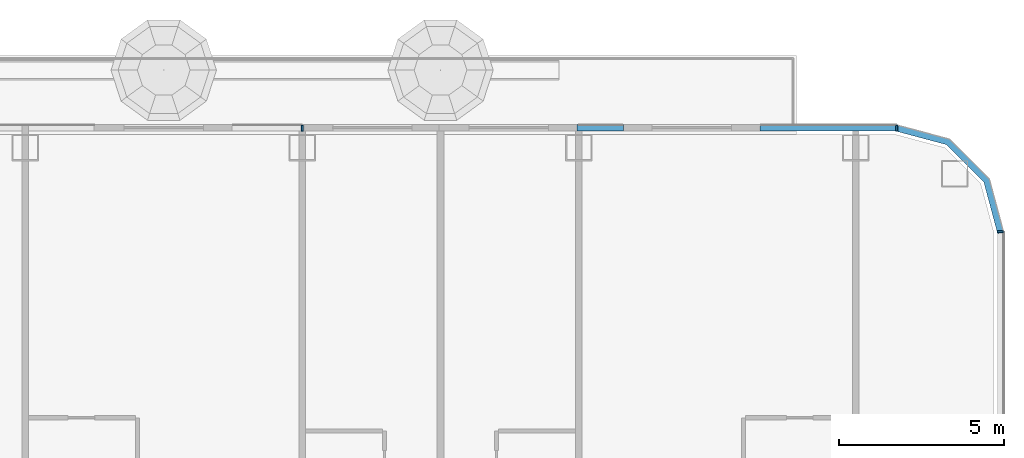
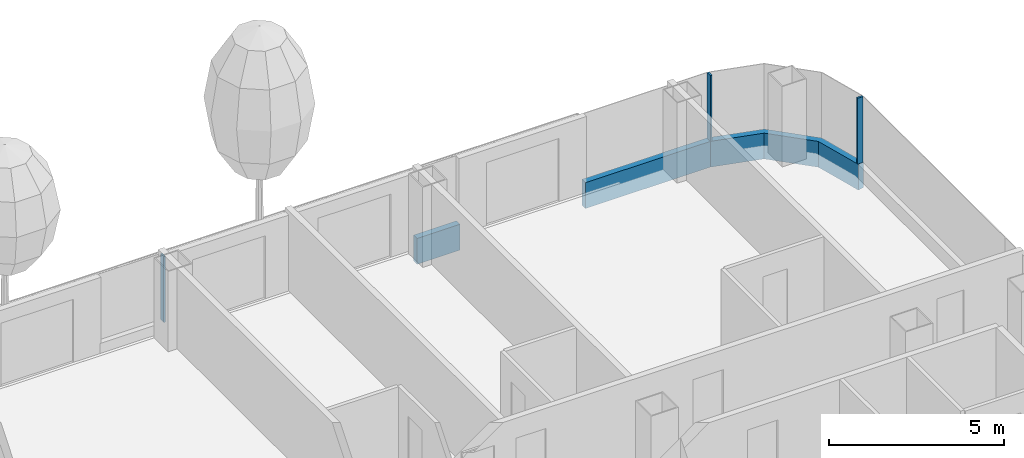
# One storey, part 9 of 33: 6 members, 3 elements without a shape of their own.
"""IFC4 building model written with IfcOpenShell, lengths in metres."""

import ifcopenshell
import ifcopenshell.guid

model = None  # the IFC model being written
_history = None  # IfcOwnerHistory: only IFC2X3 demands one
_inside = {}  # id of a spatial element -> (the spatial element, [elements in it])
_under = {}  # id of a project, library or spatial element -> (it, [spatial elements below it])
_declared = {}  # id of a project -> (the project, [libraries it declares])
_typed = {}  # id of a type object -> (the type object, [elements of that type])
_made_of = {}  # id of a material, layer set ... -> (it, [elements and type objects made of it])


def new_model(schema):
    """Start an empty IFC model of exactly this schema.

    Asked for "IFC4X3", IfcOpenShell would pick the latest addendum, in which some entities
    have other attributes; the version numbers below select the first issue.
    IFC2X3 requires an IfcOwnerHistory on every rooted entity: one is made here for all.
    """
    global model, _history
    if schema == "IFC4X3":
        model = ifcopenshell.file(schema_version=(4, 3, 0, 0))
    else:
        model = ifcopenshell.file(schema=schema)
    _inside.clear()
    _under.clear()
    _declared.clear()
    _typed.clear()
    _made_of.clear()
    _history = None
    if model.schema == "IFC2X3":
        org = make("IfcOrganization", Name="unknown")
        user = make(
            "IfcPersonAndOrganization",
            ThePerson=make("IfcPerson", FamilyName="unknown"),
            TheOrganization=org,
        )
        app = make(
            "IfcApplication",
            ApplicationDeveloper=org,
            Version="unknown",
            ApplicationFullName="unknown",
            ApplicationIdentifier="unknown",
        )
        _history = make(
            "IfcOwnerHistory",
            OwningUser=user,
            OwningApplication=app,
            ChangeAction="ADDED",
            CreationDate=0,
        )
    return model


def make(cls, **values):
    """One entity of the class cls with the attributes given. An attribute that is None is left unset."""
    return model.create_entity(
        cls, **{name: value for name, value in values.items() if value is not None}
    )


def rooted(cls, **values):
    """An entity with a GlobalId (a new one), such as an element, a storey or a relation."""
    return make(cls, GlobalId=ifcopenshell.guid.new(), OwnerHistory=_history, **values)


def si_unit(unit_type, name, prefix=None):
    """IfcSIUnit, for example si_unit("LENGTHUNIT", "METRE", prefix="MILLI")."""
    return make("IfcSIUnit", UnitType=unit_type, Prefix=prefix, Name=name)


def assignment(units):
    """IfcUnitAssignment: the units of a project."""
    return None if units is None else make("IfcUnitAssignment", Units=units)


def point(xyz):
    """IfcCartesianPoint."""
    return None if xyz is None else make("IfcCartesianPoint", Coordinates=xyz)


def direction(xyz):
    """IfcDirection."""
    return None if xyz is None else make("IfcDirection", DirectionRatios=xyz)


def frame(location, z_axis=None, x_axis=None):
    """IfcAxis2Placement3D, a coordinate frame: its origin and axes. An axis left out is left unset."""
    return make(
        "IfcAxis2Placement3D",
        Location=point(location),
        Axis=direction(z_axis),
        RefDirection=direction(x_axis),
    )


def frame_2d(location, x_axis=None):
    """IfcAxis2Placement2D, a coordinate frame in the plane: its origin and x axis."""
    return make(
        "IfcAxis2Placement2D", Location=point(location), RefDirection=direction(x_axis)
    )


def origin():
    """The frame at (0, 0, 0) with its axes left unset."""
    return frame((0.0, 0.0, 0.0))


def origin_2d():
    """The frame at (0, 0) in the plane with its x axis left unset."""
    return frame_2d((0.0, 0.0))


def place(relative_to, where):
    """IfcLocalPlacement: puts the frame where relative to a parent placement (None: the world)."""
    return make(
        "IfcLocalPlacement", PlacementRelTo=relative_to, RelativePlacement=where
    )


def context(
    kind, dimensions, precision=None, world=None, true_north=None, identifier=None
):
    """IfcGeometricRepresentationContext, for example the 3D "Model" context."""
    return make(
        "IfcGeometricRepresentationContext",
        ContextIdentifier=identifier,
        ContextType=kind,
        CoordinateSpaceDimension=dimensions,
        Precision=precision,
        WorldCoordinateSystem=world,
        TrueNorth=true_north,
    )


def subcontext(parent, identifier, kind, view, scale=None):
    """IfcGeometricRepresentationSubContext, for example "Body" below "Model"."""
    return make(
        "IfcGeometricRepresentationSubContext",
        ContextIdentifier=identifier,
        ContextType=kind,
        ParentContext=parent,
        TargetScale=scale,
        TargetView=view,
    )


def project(units=None, contexts=None):
    """IfcProject with its units and contexts."""
    return rooted(
        "IfcProject",
        Name="project",
        RepresentationContexts=contexts,
        UnitsInContext=assignment(units),
    )


def spatial(cls, under=None, at=None, **own):
    """A site, building, storey or space (cls), placed at a placement, below another one or the project."""
    s = rooted(cls, ObjectPlacement=at, **own)
    if under is not None:
        _under.setdefault(under.id(), (under, []))[1].append(s)
    return s


def polyline(points):
    """IfcPolyline through the points."""
    return make("IfcPolyline", Points=[point(p) for p in points])


def profile(cls, at=None, kind="AREA", **sizes):
    """A parametric profile (cls). Its sizes go by their IFC names, for example OverallWidth=200.0."""
    return make(cls, ProfileType=kind, Position=at, **sizes)


def rectangle(**sizes):
    """IfcRectangleProfileDef."""
    return profile("IfcRectangleProfileDef", **sizes)


def outline(outer, holes=None, kind="AREA"):
    """IfcArbitraryClosedProfileDef: a profile drawn as a closed curve; with holes, ...WithVoids."""
    if holes is None:
        return make("IfcArbitraryClosedProfileDef", ProfileType=kind, OuterCurve=outer)
    return make(
        "IfcArbitraryProfileDefWithVoids",
        ProfileType=kind,
        OuterCurve=outer,
        InnerCurves=holes,
    )


def extrude(swept, where, along, depth):
    """IfcExtrudedAreaSolid: the profile swept, set in the frame where, extruded along a direction by depth."""
    return make(
        "IfcExtrudedAreaSolid",
        SweptArea=swept,
        Position=where,
        ExtrudedDirection=direction(along),
        Depth=depth,
    )


def shape(context_of_items, identifier, shape_type, items):
    """IfcShapeRepresentation: the items that make up one representation, for example the "Body"."""
    return make(
        "IfcShapeRepresentation",
        ContextOfItems=context_of_items,
        RepresentationIdentifier=identifier,
        RepresentationType=shape_type,
        Items=items,
    )


def material(Name=None, Category=None):
    """IfcMaterial."""
    return make("IfcMaterial", Name=Name, Category=Category)


def layer(
    of_material, thickness, ventilated=None, Name=None, Category=None, Priority=None
):
    """IfcMaterialLayer: one layer of a wall or slab, of a material (None: an air gap)."""
    return make(
        "IfcMaterialLayer",
        Material=of_material,
        LayerThickness=thickness,
        IsVentilated=ventilated,
        Name=Name,
        Category=Category,
        Priority=Priority,
    )


def layer_set(layers, Name=None):
    """IfcMaterialLayerSet."""
    return make("IfcMaterialLayerSet", MaterialLayers=layers, LayerSetName=Name)


def material_profile(
    of_material, cross_section, Name=None, Category=None, Priority=None
):
    """IfcMaterialProfile: a cross section and its material."""
    return make(
        "IfcMaterialProfile",
        Name=Name,
        Material=of_material,
        Profile=cross_section,
        Priority=Priority,
        Category=Category,
    )


def profile_set(profiles, Name=None, composite=None):
    """IfcMaterialProfileSet."""
    return make(
        "IfcMaterialProfileSet",
        Name=Name,
        MaterialProfiles=profiles,
        CompositeProfile=composite,
    )


def made_of(thing, what):
    """Note that an element or type object is made of a material, layer set ...; save() writes the relation."""
    if what is not None:
        _made_of.setdefault(what.id(), (what, []))[1].append(thing)
    return thing


def type_object(cls, material=None, **own):
    """A type object (cls), such as IfcWallType, which elements share."""
    return made_of(rooted(cls, **own), material)


def element(
    cls,
    number,
    at=None,
    inside=None,
    cuts=None,
    type_object=None,
    material=None,
    context=None,
    identifier="Body",
    shape_type=None,
    held_by="IfcProductDefinitionShape",
    body=None,
    shapes=None,
    **own,
):
    """One element of the class cls, such as IfcWall. Its Tag is "e" and its number.

    at: its placement. inside: the storey or other place that contains it. cuts: it is an
    opening in that element (IfcRelVoidsElement). A single representation is given by context,
    identifier, shape_type and body (its items); several are given by shapes. held_by: the class
    of the entity that holds the representations. save() writes the other relations.
    """
    e = rooted(cls, Tag="e%d" % number, ObjectPlacement=at, **own)
    if body is not None:
        shapes = [shape(context, identifier, shape_type, body)]
    if shapes is not None:
        e.Representation = make(held_by, Representations=shapes)
    if inside is not None:
        _inside.setdefault(inside.id(), (inside, []))[1].append(e)
    if cuts is not None:
        rooted(
            "IfcRelVoidsElement", RelatingBuildingElement=cuts, RelatedOpeningElement=e
        )
    if type_object is not None:
        _typed.setdefault(type_object.id(), (type_object, []))[1].append(e)
    return made_of(e, material)


def aggregate(whole, parts):
    """IfcRelAggregates: a whole, such as a stair, and the parts it consists of."""
    return rooted("IfcRelAggregates", RelatingObject=whole, RelatedObjects=parts)


def save(model, path):
    """Write the relations noted so far, then the file.

    IfcRelAggregates (storeys below a building ...), IfcRelContainedInSpatialStructure (elements
    in a storey), IfcRelDefinesByType, IfcRelAssociatesMaterial and IfcRelDeclares: one each for
    every whole, place, type object, material and project.
    """
    for whole, parts in _under.values():
        aggregate(whole, parts)
    for where, things in _inside.values():
        rooted(
            "IfcRelContainedInSpatialStructure",
            RelatedElements=things,
            RelatingStructure=where,
        )
    for kind, things in _typed.values():
        rooted("IfcRelDefinesByType", RelatedObjects=things, RelatingType=kind)
    for what, things in _made_of.values():
        rooted("IfcRelAssociatesMaterial", RelatedObjects=things, RelatingMaterial=what)
    for by, libraries in _declared.values():
        rooted("IfcRelDeclares", RelatingContext=by, RelatedDefinitions=libraries)
    model.write(path)


model = new_model("IFC4")

# Units and contexts
model_context = context("Model", 3, precision=1e-05, world=origin(), true_north=direction((0.0, 1.0)))
body_context = subcontext(model_context, "Body", "Model", "MODEL_VIEW")
ifc_project = project(units=[si_unit("LENGTHUNIT", "METRE"), si_unit("AREAUNIT", "SQUARE_METRE"), si_unit("VOLUMEUNIT", "CUBIC_METRE"), si_unit("PLANEANGLEUNIT", "RADIAN"), si_unit("MASSUNIT", "GRAM", prefix="KILO")], contexts=[model_context])

# Site, building, storey
site_placement = place(None, origin())
site = spatial("IfcSite", under=ifc_project, at=site_placement, CompositionType="ELEMENT")
building_placement = place(site_placement, origin())
building = spatial("IfcBuilding", under=site, at=building_placement, Name="Hakoniwa Tower and Hamabe Station Hall", CompositionType="ELEMENT")
storey_placement = place(building_placement, frame((0.0, 0.0, 81.800048828125)))
storey = spatial("IfcBuildingStorey", under=building, at=storey_placement, Name="L22", CompositionType="ELEMENT", Elevation=81.800048828125)

# Curtain wall, member
ifc_material_1 = material(Name="Dark low-e laminated glass", Category="glass")
ifc_layer = layer(ifc_material_1, 0.199951171875)
ifc_layer_set = layer_set([ifc_layer], Name="CW-1 UNITISED GUEST")
curtain_wall_type = type_object("IfcCurtainWallType", Name="CW-1 UNITISED GUEST", PredefinedType="NOTDEFINED", material=ifc_layer_set)
curtain_wall_1_placement = place(storey_placement, origin())
curtain_wall_1 = element("IfcCurtainWall", 1, at=curtain_wall_1_placement, inside=storey, type_object=curtain_wall_type, Name="CW-1 curtain wall", PredefinedType="NOTDEFINED")
ifc_material_2 = material(Name="Aluminium 6063-T5 black anodised", Category="aluminium")
ifc_material_profile_1 = material_profile(ifc_material_2, rectangle(XDim=0.199951171875, YDim=0.89990234375, at=origin_2d()), Name="CW SLAB-EDGE BAND 900X200")
ifc_profile_set_1 = profile_set([ifc_material_profile_1], Name="Aluminium 6063-T5 black anodised")
member_type_1 = type_object("IfcMemberType", Name="CW SLAB-EDGE BAND 900X200", PredefinedType="USERDEFINED", material=ifc_profile_set_1)
member_1_placement = place(storey_placement, frame((0.0, 0.0, -0.550048828125)))
member_1 = element("IfcMember", 2, at=member_1_placement, type_object=member_type_1, Name="CW-1 transom", ObjectType="TRANSOM", PredefinedType="USERDEFINED", context=body_context, shape_type="SweptSolid", body=[
    extrude(outline(polyline([(46.5, 20.28955078125), (46.067138671875, 21.9052734375), (44.855224609375, 23.116943359375), (43.239501953125, 23.550048828125), (43.187744140625, 23.35693359375), (44.751708984375, 22.937744140625), (45.8876953125, 21.8017578125), (46.306884765625, 20.23779296875), (46.5, 20.28955078125)])), origin(), (0.0, 0.0, 1.0), 0.89990234375),
])
aggregate(curtain_wall_1, [member_1])

# Curtain wall, members
curtain_wall_2_placement = place(storey_placement, origin())
curtain_wall_2 = element("IfcCurtainWall", 3, at=curtain_wall_2_placement, inside=storey, type_object=curtain_wall_type, Name="CW-1 curtain wall", PredefinedType="NOTDEFINED")
member_2_placement = place(storey_placement, frame((43.239501953125, 23.449951171875, -0.10009765625), z_axis=(-1.0, 0.0, 0.0), x_axis=(0.0, -1.0, 0.0)))
member_2 = element("IfcMember", 4, at=member_2_placement, type_object=member_type_1, Name="CW-1 transom", ObjectType="TRANSOM", PredefinedType="USERDEFINED", context=body_context, shape_type="SweptSolid", body=[
    extrude(rectangle(XDim=0.199951171875, YDim=0.89990234375, at=origin_2d()), origin(), (0.0, 0.0, 1.0), 4.14453125),
])
member_3_placement = place(storey_placement, frame((34.955078125, 23.449951171875, -0.10009765625), z_axis=(-1.0, 0.0, 0.0), x_axis=(0.0, -1.0, 0.0)))
member_3 = element("IfcMember", 5, at=member_3_placement, type_object=member_type_1, Name="CW-1 transom", ObjectType="TRANSOM", PredefinedType="USERDEFINED", context=body_context, shape_type="SweptSolid", body=[
    extrude(rectangle(XDim=0.199951171875, YDim=0.89990234375, at=origin_2d()), origin(), (0.0, 0.0, 1.0), 1.4150390625),
])

# Curtain wall, member
curtain_wall_3_placement = place(storey_placement, origin())
curtain_wall_3 = element("IfcCurtainWall", 6, at=curtain_wall_3_placement, inside=storey, type_object=curtain_wall_type, Name="CW-1 curtain wall", PredefinedType="NOTDEFINED")
ifc_material_3 = material(Name="Aluminium 6063-T5 black anodised", Category="aluminium")
ifc_material_profile_2 = material_profile(ifc_material_3, rectangle(XDim=0.06005859375, YDim=0.179931640625, at=origin_2d()), Name="CW-1 MULLION 60X180")
ifc_profile_set_2 = profile_set([ifc_material_profile_2], Name="Aluminium 6063-T5 black anodised")
member_type_2 = type_object("IfcMemberType", Name="CW-1 MULLION 60X180", PredefinedType="MULLION", material=ifc_profile_set_2)
member_4_placement = place(storey_placement, frame((46.382080078125, 20.28955078125, 0.349853515625), z_axis=(0.0, 0.0, 1.0), x_axis=(0.0, 1.0, 0.0)))
member_4 = element("IfcMember", 7, at=member_4_placement, type_object=member_type_2, Name="CW-1 mullion", PredefinedType="MULLION", context=body_context, shape_type="SweptSolid", body=[
    extrude(rectangle(XDim=0.06005859375, YDim=0.179931640625, at=origin_2d()), origin(), (0.0, 0.0, 1.0), 2.300048828125),
])
aggregate(curtain_wall_3, [member_4])

# Member
member_5_placement = place(storey_placement, frame((43.239501953125, 23.431884765625, 0.349853515625), z_axis=(0.0, 0.0, 1.0), x_axis=(-1.0, 0.0, 0.0)))
member_5 = element("IfcMember", 8, at=member_5_placement, type_object=member_type_2, Name="CW-1 mullion", PredefinedType="MULLION", context=body_context, shape_type="SweptSolid", body=[
    extrude(rectangle(XDim=0.06005859375, YDim=0.179931640625, at=origin_2d()), origin(), (0.0, 0.0, 1.0), 2.300048828125),
])

member_6_placement = place(storey_placement, frame((25.199951171875, 23.431884765625, 0.349853515625), z_axis=(0.0, 0.0, 1.0), x_axis=(-1.0, 0.0, 0.0)))
member_6 = element("IfcMember", 9, at=member_6_placement, type_object=member_type_2, Name="CW-1 mullion", PredefinedType="MULLION", context=body_context, shape_type="SweptSolid", body=[
    extrude(rectangle(XDim=0.06005859375, YDim=0.179931640625, at=origin_2d()), origin(), (0.0, 0.0, 1.0), 2.300048828125),
])

aggregate(curtain_wall_2, [member_5, member_6, member_2, member_3])

save(model, "model.ifc")
